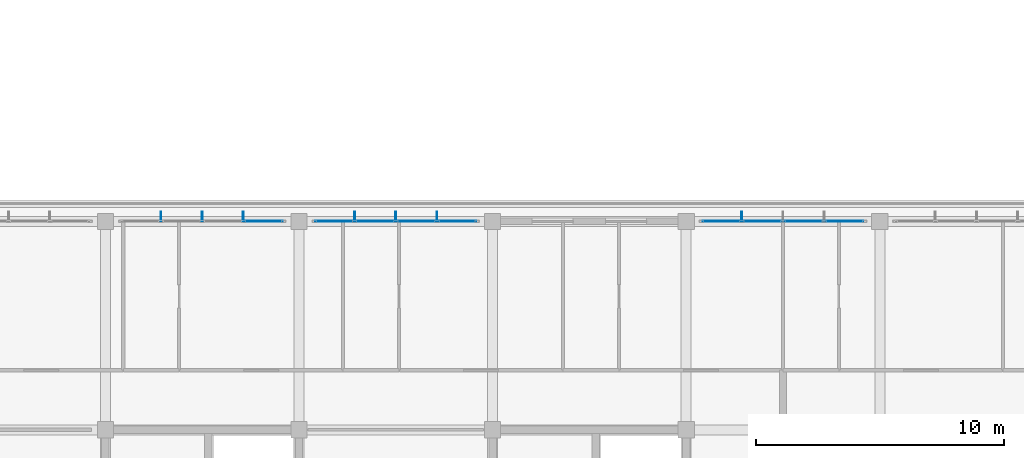
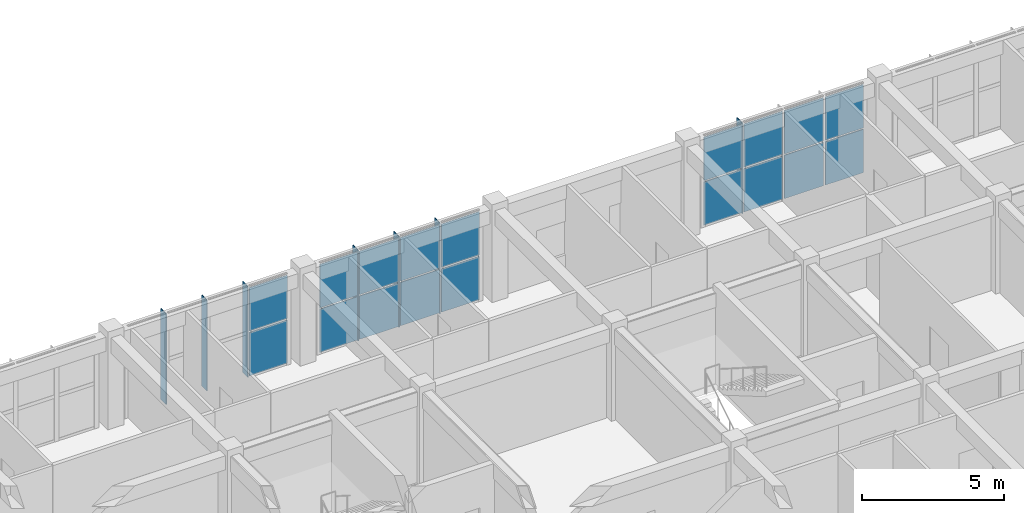
# One storey, part 43 of 57: 25 plates, 3 elements without a shape of their own.
"""IFC4 building model written with IfcOpenShell, lengths in metres."""

from ifc_helpers import new_model, si_unit, direction, frame, origin, origin_2d, place, context, subcontext, project, spatial, polyline, rectangle, outline, extrude, material, layer, layer_set, type_object, element, aggregate, save


model = new_model("IFC4")

# Units and contexts
model_context = context("Model", 3, precision=1e-05, world=origin(), true_north=direction((0.0, 1.0)))
body_context = subcontext(model_context, "Body", "Model", "MODEL_VIEW")
ifc_project = project(units=[si_unit("LENGTHUNIT", "METRE"), si_unit("AREAUNIT", "SQUARE_METRE"), si_unit("VOLUMEUNIT", "CUBIC_METRE"), si_unit("PLANEANGLEUNIT", "RADIAN"), si_unit("MASSUNIT", "GRAM", prefix="KILO")], contexts=[model_context])

# Site, building, storey
site_placement = place(None, origin())
site = spatial("IfcSite", under=ifc_project, at=site_placement, CompositionType="ELEMENT")
building_placement = place(site_placement, origin())
building = spatial("IfcBuilding", under=site, at=building_placement, Name="Zizhar Promenade General Hospital", CompositionType="ELEMENT")
storey_placement = place(building_placement, frame((0.0, 0.0, 22.199951171875)))
storey = spatial("IfcBuildingStorey", under=building, at=storey_placement, Name="L05", CompositionType="ELEMENT", Elevation=22.199951171875)

# Curtain wall, plates
ifc_material_1 = material(Name="Anodised aluminium 6063-T6 and low-E glass", Category="aluminium")
ifc_layer_1 = layer(ifc_material_1, 0.159912109375)
ifc_layer_set_1 = layer_set([ifc_layer_1], Name="Anodised aluminium 6063-T6 and low-E glass")
curtain_wall_type = type_object("IfcCurtainWallType", Name="CW-WARD-RIB", PredefinedType="NOTDEFINED", material=ifc_layer_set_1)
curtain_wall_1_placement = place(storey_placement, origin())
curtain_wall_1 = element("IfcCurtainWall", 1, at=curtain_wall_1_placement, inside=storey, type_object=curtain_wall_type, Name="Ward Ribbon Curtain Wall L05-8-2", PredefinedType="NOTDEFINED")
ifc_material_2 = material(Name="Low-E solar-control glass", Category="glass")
ifc_layer_2 = layer(ifc_material_2, 0.031982421875)
ifc_layer_set_2 = layer_set([ifc_layer_2], Name="Low-E solar-control glass")
plate_type_1 = type_object("IfcPlateType", Name="CWP-GLZ-32", PredefinedType="CURTAIN_PANEL", material=ifc_layer_set_2)
plate_1_placement = place(storey_placement, frame((53.169921875, 25.199951171875, 0.06005859375), z_axis=(0.0, 0.0, 1.0), x_axis=(1.0, 0.0, 0.0)))
plate_1 = element("IfcPlate", 2, at=plate_1_placement, type_object=plate_type_1, Name="CW-13 panel 4.1", PredefinedType="CURTAIN_PANEL", context=body_context, shape_type="SweptSolid", body=[
    extrude(rectangle(XDim=1.5400390625, YDim=0.031982421875, at=origin_2d()), origin(), (0.0, 0.0, 1.0), 1.860107421875),
])
plate_2_placement = place(storey_placement, frame((53.169921875, 25.199951171875, 1.97998046875), z_axis=(0.0, 0.0, 1.0), x_axis=(1.0, 0.0, 0.0)))
plate_2 = element("IfcPlate", 3, at=plate_2_placement, type_object=plate_type_1, Name="CW-13 panel 4.2", PredefinedType="CURTAIN_PANEL", context=body_context, shape_type="SweptSolid", body=[
    extrude(rectangle(XDim=1.5400390625, YDim=0.031982421875, at=origin_2d()), origin(), (0.0, 0.0, 1.0), 1.860107421875),
])
aggregate(curtain_wall_1, [plate_1, plate_2])

curtain_wall_2_placement = place(storey_placement, origin())
curtain_wall_2 = element("IfcCurtainWall", 4, at=curtain_wall_2_placement, inside=storey, type_object=curtain_wall_type, Name="Ward Ribbon Curtain Wall L05-8-3", PredefinedType="NOTDEFINED")
plate_3_placement = place(storey_placement, frame((56.030029296875, 25.199951171875, 0.06005859375), z_axis=(0.0, 0.0, 1.0), x_axis=(1.0, 0.0, 0.0)))
plate_3 = element("IfcPlate", 5, at=plate_3_placement, type_object=plate_type_1, Name="CW-13 panel 1.1", PredefinedType="CURTAIN_PANEL", context=body_context, shape_type="SweptSolid", body=[
    extrude(rectangle(XDim=1.5400390625, YDim=0.031982421875, at=origin_2d()), origin(), (0.0, 0.0, 1.0), 1.860107421875),
])
plate_4_placement = place(storey_placement, frame((56.030029296875, 25.199951171875, 1.97998046875), z_axis=(0.0, 0.0, 1.0), x_axis=(1.0, 0.0, 0.0)))
plate_4 = element("IfcPlate", 6, at=plate_4_placement, type_object=plate_type_1, Name="CW-13 panel 1.2", PredefinedType="CURTAIN_PANEL", context=body_context, shape_type="SweptSolid", body=[
    extrude(rectangle(XDim=1.5400390625, YDim=0.031982421875, at=origin_2d()), origin(), (0.0, 0.0, 1.0), 1.860107421875),
])
plate_5_placement = place(storey_placement, frame((57.669921875, 25.199951171875, 0.06005859375), z_axis=(0.0, 0.0, 1.0), x_axis=(1.0, 0.0, 0.0)))
plate_5 = element("IfcPlate", 7, at=plate_5_placement, type_object=plate_type_1, Name="CW-13 panel 2.1", PredefinedType="CURTAIN_PANEL", context=body_context, shape_type="SweptSolid", body=[
    extrude(rectangle(XDim=1.580078125, YDim=0.031982421875, at=origin_2d()), origin(), (0.0, 0.0, 1.0), 1.860107421875),
])
plate_6_placement = place(storey_placement, frame((57.669921875, 25.199951171875, 1.97998046875), z_axis=(0.0, 0.0, 1.0), x_axis=(1.0, 0.0, 0.0)))
plate_6 = element("IfcPlate", 8, at=plate_6_placement, type_object=plate_type_1, Name="CW-13 panel 2.2", PredefinedType="CURTAIN_PANEL", context=body_context, shape_type="SweptSolid", body=[
    extrude(rectangle(XDim=1.580078125, YDim=0.031982421875, at=origin_2d()), origin(), (0.0, 0.0, 1.0), 1.860107421875),
])
plate_7_placement = place(storey_placement, frame((59.330078125, 25.199951171875, 0.06005859375), z_axis=(0.0, 0.0, 1.0), x_axis=(1.0, 0.0, 0.0)))
plate_7 = element("IfcPlate", 9, at=plate_7_placement, type_object=plate_type_1, Name="CW-13 panel 3.1", PredefinedType="CURTAIN_PANEL", context=body_context, shape_type="SweptSolid", body=[
    extrude(rectangle(XDim=1.580078125, YDim=0.031982421875, at=origin_2d()), origin(), (0.0, 0.0, 1.0), 1.860107421875),
])
plate_8_placement = place(storey_placement, frame((59.330078125, 25.199951171875, 1.97998046875), z_axis=(0.0, 0.0, 1.0), x_axis=(1.0, 0.0, 0.0)))
plate_8 = element("IfcPlate", 10, at=plate_8_placement, type_object=plate_type_1, Name="CW-13 panel 3.2", PredefinedType="CURTAIN_PANEL", context=body_context, shape_type="SweptSolid", body=[
    extrude(rectangle(XDim=1.580078125, YDim=0.031982421875, at=origin_2d()), origin(), (0.0, 0.0, 1.0), 1.860107421875),
])
plate_9_placement = place(storey_placement, frame((60.969970703125, 25.199951171875, 0.06005859375), z_axis=(0.0, 0.0, 1.0), x_axis=(1.0, 0.0, 0.0)))
plate_9 = element("IfcPlate", 11, at=plate_9_placement, type_object=plate_type_1, Name="CW-13 panel 4.1", PredefinedType="CURTAIN_PANEL", context=body_context, shape_type="SweptSolid", body=[
    extrude(rectangle(XDim=1.5400390625, YDim=0.031982421875, at=origin_2d()), origin(), (0.0, 0.0, 1.0), 1.860107421875),
])
plate_10_placement = place(storey_placement, frame((60.969970703125, 25.199951171875, 1.97998046875), z_axis=(0.0, 0.0, 1.0), x_axis=(1.0, 0.0, 0.0)))
plate_10 = element("IfcPlate", 12, at=plate_10_placement, type_object=plate_type_1, Name="CW-13 panel 4.2", PredefinedType="CURTAIN_PANEL", context=body_context, shape_type="SweptSolid", body=[
    extrude(rectangle(XDim=1.5400390625, YDim=0.031982421875, at=origin_2d()), origin(), (0.0, 0.0, 1.0), 1.860107421875),
])
aggregate(curtain_wall_2, [plate_3, plate_4, plate_5, plate_6, plate_7, plate_8, plate_9, plate_10])

curtain_wall_3_placement = place(storey_placement, origin())
curtain_wall_3 = element("IfcCurtainWall", 13, at=curtain_wall_3_placement, inside=storey, type_object=curtain_wall_type, Name="Ward Ribbon Curtain Wall L05-8-5", PredefinedType="NOTDEFINED")
plate_11_placement = place(storey_placement, frame((71.6298828125, 25.199951171875, 0.06005859375), z_axis=(0.0, 0.0, 1.0), x_axis=(1.0, 0.0, 0.0)))
plate_11 = element("IfcPlate", 14, at=plate_11_placement, type_object=plate_type_1, Name="CW-13 panel 1.1", PredefinedType="CURTAIN_PANEL", context=body_context, shape_type="SweptSolid", body=[
    extrude(rectangle(XDim=1.5400390625, YDim=0.031982421875, at=origin_2d()), origin(), (0.0, 0.0, 1.0), 1.860107421875),
])
plate_12_placement = place(storey_placement, frame((71.6298828125, 25.199951171875, 1.97998046875), z_axis=(0.0, 0.0, 1.0), x_axis=(1.0, 0.0, 0.0)))
plate_12 = element("IfcPlate", 15, at=plate_12_placement, type_object=plate_type_1, Name="CW-13 panel 1.2", PredefinedType="CURTAIN_PANEL", context=body_context, shape_type="SweptSolid", body=[
    extrude(rectangle(XDim=1.5400390625, YDim=0.031982421875, at=origin_2d()), origin(), (0.0, 0.0, 1.0), 1.860107421875),
])
plate_13_placement = place(storey_placement, frame((73.27001953125, 25.199951171875, 0.06005859375), z_axis=(0.0, 0.0, 1.0), x_axis=(1.0, 0.0, 0.0)))
plate_13 = element("IfcPlate", 16, at=plate_13_placement, type_object=plate_type_1, Name="CW-13 panel 2.1", PredefinedType="CURTAIN_PANEL", context=body_context, shape_type="SweptSolid", body=[
    extrude(rectangle(XDim=1.580078125, YDim=0.031982421875, at=origin_2d()), origin(), (0.0, 0.0, 1.0), 1.860107421875),
])
plate_14_placement = place(storey_placement, frame((73.27001953125, 25.199951171875, 1.97998046875), z_axis=(0.0, 0.0, 1.0), x_axis=(1.0, 0.0, 0.0)))
plate_14 = element("IfcPlate", 17, at=plate_14_placement, type_object=plate_type_1, Name="CW-13 panel 2.2", PredefinedType="CURTAIN_PANEL", context=body_context, shape_type="SweptSolid", body=[
    extrude(rectangle(XDim=1.580078125, YDim=0.031982421875, at=origin_2d()), origin(), (0.0, 0.0, 1.0), 1.860107421875),
])
plate_15_placement = place(storey_placement, frame((74.929931640625, 25.199951171875, 0.06005859375), z_axis=(0.0, 0.0, 1.0), x_axis=(1.0, 0.0, 0.0)))
plate_15 = element("IfcPlate", 18, at=plate_15_placement, type_object=plate_type_1, Name="CW-13 panel 3.1", PredefinedType="CURTAIN_PANEL", context=body_context, shape_type="SweptSolid", body=[
    extrude(rectangle(XDim=1.580078125, YDim=0.031982421875, at=origin_2d()), origin(), (0.0, 0.0, 1.0), 1.860107421875),
])
plate_16_placement = place(storey_placement, frame((74.929931640625, 25.199951171875, 1.97998046875), z_axis=(0.0, 0.0, 1.0), x_axis=(1.0, 0.0, 0.0)))
plate_16 = element("IfcPlate", 19, at=plate_16_placement, type_object=plate_type_1, Name="CW-13 panel 3.2", PredefinedType="CURTAIN_PANEL", context=body_context, shape_type="SweptSolid", body=[
    extrude(rectangle(XDim=1.580078125, YDim=0.031982421875, at=origin_2d()), origin(), (0.0, 0.0, 1.0), 1.860107421875),
])
plate_17_placement = place(storey_placement, frame((76.570068359375, 25.199951171875, 0.06005859375), z_axis=(0.0, 0.0, 1.0), x_axis=(1.0, 0.0, 0.0)))
plate_17 = element("IfcPlate", 20, at=plate_17_placement, type_object=plate_type_1, Name="CW-13 panel 4.1", PredefinedType="CURTAIN_PANEL", context=body_context, shape_type="SweptSolid", body=[
    extrude(rectangle(XDim=1.5400390625, YDim=0.031982421875, at=origin_2d()), origin(), (0.0, 0.0, 1.0), 1.860107421875),
])
plate_18_placement = place(storey_placement, frame((76.570068359375, 25.199951171875, 1.97998046875), z_axis=(0.0, 0.0, 1.0), x_axis=(1.0, 0.0, 0.0)))
plate_18 = element("IfcPlate", 21, at=plate_18_placement, type_object=plate_type_1, Name="CW-13 panel 4.2", PredefinedType="CURTAIN_PANEL", context=body_context, shape_type="SweptSolid", body=[
    extrude(rectangle(XDim=1.5400390625, YDim=0.031982421875, at=origin_2d()), origin(), (0.0, 0.0, 1.0), 1.860107421875),
])
aggregate(curtain_wall_3, [plate_11, plate_12, plate_13, plate_14, plate_15, plate_16, plate_17, plate_18])

# Plates
ifc_material_3 = material(Name="Anodised aluminium 6063-T6", Category="aluminium")
ifc_layer_3 = layer(ifc_material_3, 0.035888671875)
ifc_layer_set_3 = layer_set([ifc_layer_3], Name="Anodised aluminium 6063-T6")
plate_type_2 = type_object("IfcPlateType", Name="FIN-ALU-380", PredefinedType="USERDEFINED", material=ifc_layer_set_3)
plate_19_placement = place(storey_placement, origin())
element("IfcPlate", 22, at=plate_19_placement, inside=storey, type_object=plate_type_2, Name="Ward Ribbon Curtain Wall L05-8-2 Solar Fin 1", ObjectType="SOLAR_SHADE", PredefinedType="USERDEFINED", context=body_context, shape_type="SweptSolid", body=[
    extrude(outline(polyline([(49.02197265625, 25.199951171875), (49.05810546875, 25.199951171875), (49.05810546875, 25.580078125), (49.02197265625, 25.580078125), (49.02197265625, 25.199951171875)])), origin(), (0.0, 0.0, 1.0), 3.900146484375),
])
plate_20_placement = place(storey_placement, origin())
element("IfcPlate", 23, at=plate_20_placement, inside=storey, type_object=plate_type_2, Name="Ward Ribbon Curtain Wall L05-8-2 Solar Fin 2", ObjectType="SOLAR_SHADE", PredefinedType="USERDEFINED", context=body_context, shape_type="SweptSolid", body=[
    extrude(outline(polyline([(50.681884765625, 25.199951171875), (50.718017578125, 25.199951171875), (50.718017578125, 25.580078125), (50.681884765625, 25.580078125), (50.681884765625, 25.199951171875)])), origin(), (0.0, 0.0, 1.0), 3.900146484375),
])
plate_21_placement = place(storey_placement, origin())
element("IfcPlate", 24, at=plate_21_placement, inside=storey, type_object=plate_type_2, Name="Ward Ribbon Curtain Wall L05-8-2 Solar Fin 3", ObjectType="SOLAR_SHADE", PredefinedType="USERDEFINED", context=body_context, shape_type="SweptSolid", body=[
    extrude(outline(polyline([(52.342041015625, 25.199951171875), (52.3779296875, 25.199951171875), (52.3779296875, 25.580078125), (52.342041015625, 25.580078125), (52.342041015625, 25.199951171875)])), origin(), (0.0, 0.0, 1.0), 3.900146484375),
])
plate_22_placement = place(storey_placement, origin())
element("IfcPlate", 25, at=plate_22_placement, inside=storey, type_object=plate_type_2, Name="Ward Ribbon Curtain Wall L05-8-3 Solar Fin 1", ObjectType="SOLAR_SHADE", PredefinedType="USERDEFINED", context=body_context, shape_type="SweptSolid", body=[
    extrude(outline(polyline([(56.822021484375, 25.199951171875), (56.85791015625, 25.199951171875), (56.85791015625, 25.580078125), (56.822021484375, 25.580078125), (56.822021484375, 25.199951171875)])), origin(), (0.0, 0.0, 1.0), 3.900146484375),
])
plate_23_placement = place(storey_placement, origin())
element("IfcPlate", 26, at=plate_23_placement, inside=storey, type_object=plate_type_2, Name="Ward Ribbon Curtain Wall L05-8-3 Solar Fin 2", ObjectType="SOLAR_SHADE", PredefinedType="USERDEFINED", context=body_context, shape_type="SweptSolid", body=[
    extrude(outline(polyline([(58.48193359375, 25.199951171875), (58.51806640625, 25.199951171875), (58.51806640625, 25.580078125), (58.48193359375, 25.580078125), (58.48193359375, 25.199951171875)])), origin(), (0.0, 0.0, 1.0), 3.900146484375),
])
plate_24_placement = place(storey_placement, origin())
element("IfcPlate", 27, at=plate_24_placement, inside=storey, type_object=plate_type_2, Name="Ward Ribbon Curtain Wall L05-8-3 Solar Fin 3", ObjectType="SOLAR_SHADE", PredefinedType="USERDEFINED", context=body_context, shape_type="SweptSolid", body=[
    extrude(outline(polyline([(60.14208984375, 25.199951171875), (60.177978515625, 25.199951171875), (60.177978515625, 25.580078125), (60.14208984375, 25.580078125), (60.14208984375, 25.199951171875)])), origin(), (0.0, 0.0, 1.0), 3.900146484375),
])
plate_25_placement = place(storey_placement, origin())
element("IfcPlate", 28, at=plate_25_placement, inside=storey, type_object=plate_type_2, Name="Ward Ribbon Curtain Wall L05-8-5 Solar Fin 1", ObjectType="SOLAR_SHADE", PredefinedType="USERDEFINED", context=body_context, shape_type="SweptSolid", body=[
    extrude(outline(polyline([(72.422119140625, 25.199951171875), (72.4580078125, 25.199951171875), (72.4580078125, 25.580078125), (72.422119140625, 25.580078125), (72.422119140625, 25.199951171875)])), origin(), (0.0, 0.0, 1.0), 3.900146484375),
])

save(model, "model.ifc")
